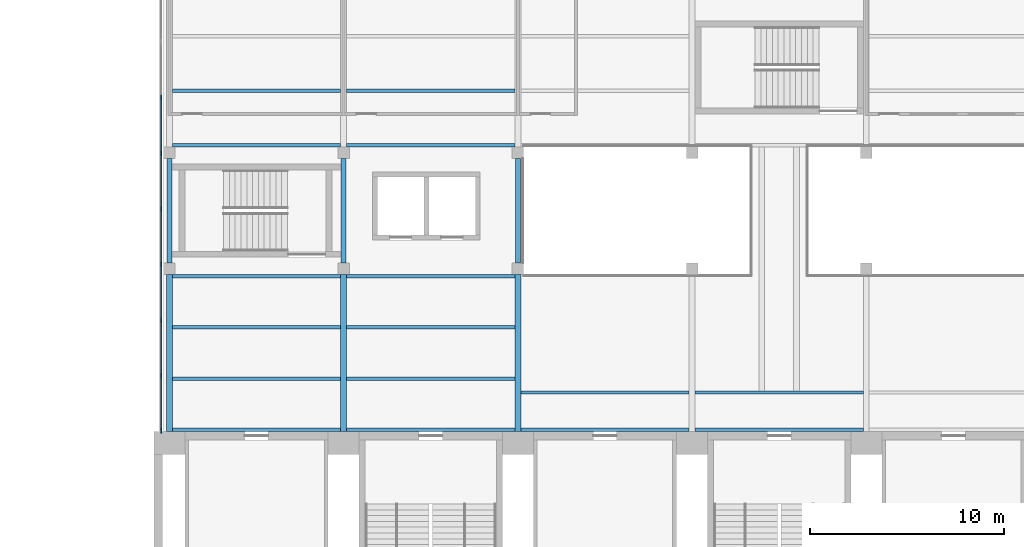
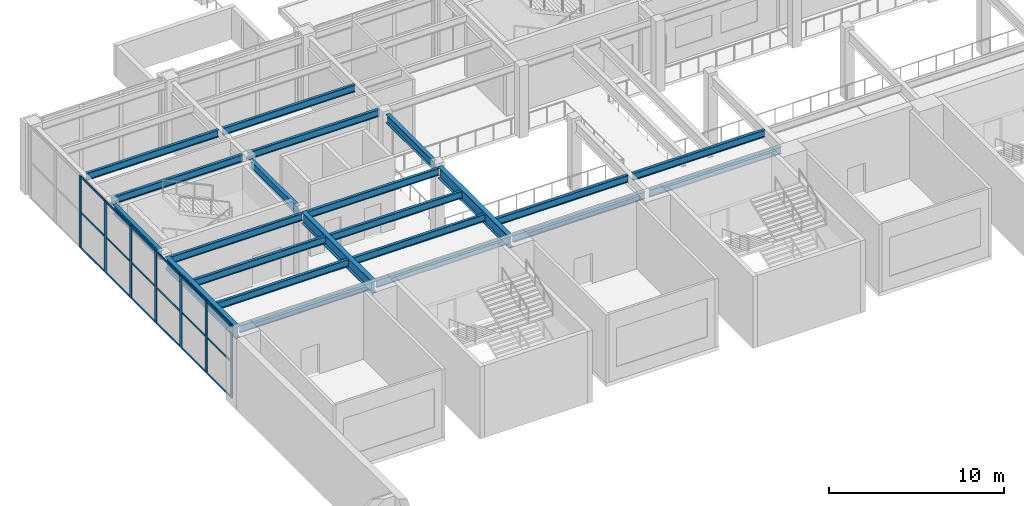
# One storey, part 8 of 67: 25 members, 22 beams, 1 element without a shape of its own.
"""IFC4 building model written with IfcOpenShell, lengths in metres."""

import ifcopenshell
import ifcopenshell.guid

model = None  # the IFC model being written
_history = None  # IfcOwnerHistory: only IFC2X3 demands one
_inside = {}  # id of a spatial element -> (the spatial element, [elements in it])
_under = {}  # id of a project, library or spatial element -> (it, [spatial elements below it])
_declared = {}  # id of a project -> (the project, [libraries it declares])
_typed = {}  # id of a type object -> (the type object, [elements of that type])
_made_of = {}  # id of a material, layer set ... -> (it, [elements and type objects made of it])


def new_model(schema):
    """Start an empty IFC model of exactly this schema.

    Asked for "IFC4X3", IfcOpenShell would pick the latest addendum, in which some entities
    have other attributes; the version numbers below select the first issue.
    IFC2X3 requires an IfcOwnerHistory on every rooted entity: one is made here for all.
    """
    global model, _history
    if schema == "IFC4X3":
        model = ifcopenshell.file(schema_version=(4, 3, 0, 0))
    else:
        model = ifcopenshell.file(schema=schema)
    _inside.clear()
    _under.clear()
    _declared.clear()
    _typed.clear()
    _made_of.clear()
    _history = None
    if model.schema == "IFC2X3":
        org = make("IfcOrganization", Name="unknown")
        user = make(
            "IfcPersonAndOrganization",
            ThePerson=make("IfcPerson", FamilyName="unknown"),
            TheOrganization=org,
        )
        app = make(
            "IfcApplication",
            ApplicationDeveloper=org,
            Version="unknown",
            ApplicationFullName="unknown",
            ApplicationIdentifier="unknown",
        )
        _history = make(
            "IfcOwnerHistory",
            OwningUser=user,
            OwningApplication=app,
            ChangeAction="ADDED",
            CreationDate=0,
        )
    return model


def make(cls, **values):
    """One entity of the class cls with the attributes given. An attribute that is None is left unset."""
    return model.create_entity(
        cls, **{name: value for name, value in values.items() if value is not None}
    )


def rooted(cls, **values):
    """An entity with a GlobalId (a new one), such as an element, a storey or a relation."""
    return make(cls, GlobalId=ifcopenshell.guid.new(), OwnerHistory=_history, **values)


def si_unit(unit_type, name, prefix=None):
    """IfcSIUnit, for example si_unit("LENGTHUNIT", "METRE", prefix="MILLI")."""
    return make("IfcSIUnit", UnitType=unit_type, Prefix=prefix, Name=name)


def assignment(units):
    """IfcUnitAssignment: the units of a project."""
    return None if units is None else make("IfcUnitAssignment", Units=units)


def point(xyz):
    """IfcCartesianPoint."""
    return None if xyz is None else make("IfcCartesianPoint", Coordinates=xyz)


def direction(xyz):
    """IfcDirection."""
    return None if xyz is None else make("IfcDirection", DirectionRatios=xyz)


def frame(location, z_axis=None, x_axis=None):
    """IfcAxis2Placement3D, a coordinate frame: its origin and axes. An axis left out is left unset."""
    return make(
        "IfcAxis2Placement3D",
        Location=point(location),
        Axis=direction(z_axis),
        RefDirection=direction(x_axis),
    )


def frame_2d(location, x_axis=None):
    """IfcAxis2Placement2D, a coordinate frame in the plane: its origin and x axis."""
    return make(
        "IfcAxis2Placement2D", Location=point(location), RefDirection=direction(x_axis)
    )


def origin():
    """The frame at (0, 0, 0) with its axes left unset."""
    return frame((0.0, 0.0, 0.0))


def origin_2d():
    """The frame at (0, 0) in the plane with its x axis left unset."""
    return frame_2d((0.0, 0.0))


def place(relative_to, where):
    """IfcLocalPlacement: puts the frame where relative to a parent placement (None: the world)."""
    return make(
        "IfcLocalPlacement", PlacementRelTo=relative_to, RelativePlacement=where
    )


def context(
    kind, dimensions, precision=None, world=None, true_north=None, identifier=None
):
    """IfcGeometricRepresentationContext, for example the 3D "Model" context."""
    return make(
        "IfcGeometricRepresentationContext",
        ContextIdentifier=identifier,
        ContextType=kind,
        CoordinateSpaceDimension=dimensions,
        Precision=precision,
        WorldCoordinateSystem=world,
        TrueNorth=true_north,
    )


def subcontext(parent, identifier, kind, view, scale=None):
    """IfcGeometricRepresentationSubContext, for example "Body" below "Model"."""
    return make(
        "IfcGeometricRepresentationSubContext",
        ContextIdentifier=identifier,
        ContextType=kind,
        ParentContext=parent,
        TargetScale=scale,
        TargetView=view,
    )


def project(units=None, contexts=None):
    """IfcProject with its units and contexts."""
    return rooted(
        "IfcProject",
        Name="project",
        RepresentationContexts=contexts,
        UnitsInContext=assignment(units),
    )


def spatial(cls, under=None, at=None, **own):
    """A site, building, storey or space (cls), placed at a placement, below another one or the project."""
    s = rooted(cls, ObjectPlacement=at, **own)
    if under is not None:
        _under.setdefault(under.id(), (under, []))[1].append(s)
    return s


def profile(cls, at=None, kind="AREA", **sizes):
    """A parametric profile (cls). Its sizes go by their IFC names, for example OverallWidth=200.0."""
    return make(cls, ProfileType=kind, Position=at, **sizes)


def rectangle(**sizes):
    """IfcRectangleProfileDef."""
    return profile("IfcRectangleProfileDef", **sizes)


def i_section(**sizes):
    """IfcIShapeProfileDef."""
    return profile("IfcIShapeProfileDef", **sizes)


def extrude(swept, where, along, depth):
    """IfcExtrudedAreaSolid: the profile swept, set in the frame where, extruded along a direction by depth."""
    return make(
        "IfcExtrudedAreaSolid",
        SweptArea=swept,
        Position=where,
        ExtrudedDirection=direction(along),
        Depth=depth,
    )


def shape(context_of_items, identifier, shape_type, items):
    """IfcShapeRepresentation: the items that make up one representation, for example the "Body"."""
    return make(
        "IfcShapeRepresentation",
        ContextOfItems=context_of_items,
        RepresentationIdentifier=identifier,
        RepresentationType=shape_type,
        Items=items,
    )


def material(Name=None, Category=None):
    """IfcMaterial."""
    return make("IfcMaterial", Name=Name, Category=Category)


def material_profile(
    of_material, cross_section, Name=None, Category=None, Priority=None
):
    """IfcMaterialProfile: a cross section and its material."""
    return make(
        "IfcMaterialProfile",
        Name=Name,
        Material=of_material,
        Profile=cross_section,
        Priority=Priority,
        Category=Category,
    )


def profile_set(profiles, Name=None, composite=None):
    """IfcMaterialProfileSet."""
    return make(
        "IfcMaterialProfileSet",
        Name=Name,
        MaterialProfiles=profiles,
        CompositeProfile=composite,
    )


def made_of(thing, what):
    """Note that an element or type object is made of a material, layer set ...; save() writes the relation."""
    if what is not None:
        _made_of.setdefault(what.id(), (what, []))[1].append(thing)
    return thing


def type_object(cls, material=None, **own):
    """A type object (cls), such as IfcWallType, which elements share."""
    return made_of(rooted(cls, **own), material)


def element(
    cls,
    number,
    at=None,
    inside=None,
    cuts=None,
    type_object=None,
    material=None,
    context=None,
    identifier="Body",
    shape_type=None,
    held_by="IfcProductDefinitionShape",
    body=None,
    shapes=None,
    **own,
):
    """One element of the class cls, such as IfcWall. Its Tag is "e" and its number.

    at: its placement. inside: the storey or other place that contains it. cuts: it is an
    opening in that element (IfcRelVoidsElement). A single representation is given by context,
    identifier, shape_type and body (its items); several are given by shapes. held_by: the class
    of the entity that holds the representations. save() writes the other relations.
    """
    e = rooted(cls, Tag="e%d" % number, ObjectPlacement=at, **own)
    if body is not None:
        shapes = [shape(context, identifier, shape_type, body)]
    if shapes is not None:
        e.Representation = make(held_by, Representations=shapes)
    if inside is not None:
        _inside.setdefault(inside.id(), (inside, []))[1].append(e)
    if cuts is not None:
        rooted(
            "IfcRelVoidsElement", RelatingBuildingElement=cuts, RelatedOpeningElement=e
        )
    if type_object is not None:
        _typed.setdefault(type_object.id(), (type_object, []))[1].append(e)
    return made_of(e, material)


def aggregate(whole, parts):
    """IfcRelAggregates: a whole, such as a stair, and the parts it consists of."""
    return rooted("IfcRelAggregates", RelatingObject=whole, RelatedObjects=parts)


def save(model, path):
    """Write the relations noted so far, then the file.

    IfcRelAggregates (storeys below a building ...), IfcRelContainedInSpatialStructure (elements
    in a storey), IfcRelDefinesByType, IfcRelAssociatesMaterial and IfcRelDeclares: one each for
    every whole, place, type object, material and project.
    """
    for whole, parts in _under.values():
        aggregate(whole, parts)
    for where, things in _inside.values():
        rooted(
            "IfcRelContainedInSpatialStructure",
            RelatedElements=things,
            RelatingStructure=where,
        )
    for kind, things in _typed.values():
        rooted("IfcRelDefinesByType", RelatedObjects=things, RelatingType=kind)
    for what, things in _made_of.values():
        rooted("IfcRelAssociatesMaterial", RelatedObjects=things, RelatingMaterial=what)
    for by, libraries in _declared.values():
        rooted("IfcRelDeclares", RelatingContext=by, RelatedDefinitions=libraries)
    model.write(path)


model = new_model("IFC4")

# Units and contexts
model_context = context("Model", 3, precision=1e-05, world=origin(), true_north=direction((0.0, 1.0)))
body_context = subcontext(model_context, "Body", "Model", "MODEL_VIEW")
ifc_project = project(units=[si_unit("LENGTHUNIT", "METRE"), si_unit("AREAUNIT", "SQUARE_METRE"), si_unit("VOLUMEUNIT", "CUBIC_METRE"), si_unit("PLANEANGLEUNIT", "RADIAN"), si_unit("MASSUNIT", "GRAM", prefix="KILO")], contexts=[model_context])

# Site, building, storey
site_placement = place(None, origin())
site = spatial("IfcSite", under=ifc_project, at=site_placement, CompositionType="ELEMENT")
building_placement = place(site_placement, origin())
building = spatial("IfcBuilding", under=site, at=building_placement, Name="Aravalli Gate Trade Fair Centre", CompositionType="ELEMENT")
storey_placement = place(building_placement, frame((0.0, 0.0, 5.0)))
storey = spatial("IfcBuildingStorey", under=building, at=storey_placement, Name="L01", CompositionType="ELEMENT", Elevation=5.0)

# Curtain wall, members
ifc_material_1 = material(Name="Aluminium and glass", Category="aluminium")
curtain_wall_type = type_object("IfcCurtainWallType", Name="Curtain wall 3000 module, tall", PredefinedType="NOTDEFINED", material=ifc_material_1)
curtain_wall_placement = place(storey_placement, origin())
curtain_wall = element("IfcCurtainWall", 1, at=curtain_wall_placement, inside=storey, type_object=curtain_wall_type, Name="Curtain wall west end L01", PredefinedType="NOTDEFINED")
ifc_material_2 = material(Name="Aluminium", Category="aluminium")
ifc_material_profile_1 = material_profile(ifc_material_2, rectangle(XDim=0.06005859375, YDim=0.25, at=origin_2d()), Name="Concourse curtain wall mullion 60 x 250")
ifc_profile_set_1 = profile_set([ifc_material_profile_1], Name="Aluminium")
member_type_1 = type_object("IfcMemberType", Name="Concourse curtain wall mullion 60 x 250", PredefinedType="MULLION", material=ifc_profile_set_1)
member_1_placement = place(storey_placement, frame((5.574951171875, 109.6298828125, 0.0), z_axis=(0.0, 0.0, 1.0), x_axis=(-1.0, 0.0, 0.0)))
member_1 = element("IfcMember", 2, at=member_1_placement, type_object=member_type_1, Name="CW3 mullion 1", PredefinedType="MULLION", context=body_context, shape_type="SweptSolid", body=[
    extrude(rectangle(XDim=0.06005859375, YDim=0.25, at=origin_2d()), origin(), (0.0, 0.0, 1.0), 5.0),
])
member_2_placement = place(storey_placement, frame((5.574951171875, 112.47509765625, 0.0), z_axis=(0.0, 0.0, 1.0), x_axis=(-1.0, 0.0, 0.0)))
member_2 = element("IfcMember", 3, at=member_2_placement, type_object=member_type_1, Name="CW3 mullion 2", PredefinedType="MULLION", context=body_context, shape_type="SweptSolid", body=[
    extrude(rectangle(XDim=0.06005859375, YDim=0.25, at=origin_2d()), origin(), (0.0, 0.0, 1.0), 5.0),
])
member_3_placement = place(storey_placement, frame((5.574951171875, 115.35009765625, 0.0), z_axis=(0.0, 0.0, 1.0), x_axis=(-1.0, 0.0, 0.0)))
member_3 = element("IfcMember", 4, at=member_3_placement, type_object=member_type_1, Name="CW3 mullion 3", PredefinedType="MULLION", context=body_context, shape_type="SweptSolid", body=[
    extrude(rectangle(XDim=0.06005859375, YDim=0.25, at=origin_2d()), origin(), (0.0, 0.0, 1.0), 5.0),
])
member_4_placement = place(storey_placement, frame((5.574951171875, 118.22509765625, 0.0), z_axis=(0.0, 0.0, 1.0), x_axis=(-1.0, 0.0, 0.0)))
member_4 = element("IfcMember", 5, at=member_4_placement, type_object=member_type_1, Name="CW3 mullion 4", PredefinedType="MULLION", context=body_context, shape_type="SweptSolid", body=[
    extrude(rectangle(XDim=0.06005859375, YDim=0.25, at=origin_2d()), origin(), (0.0, 0.0, 1.0), 5.0),
])
member_5_placement = place(storey_placement, frame((5.574951171875, 121.10009765625, 0.0), z_axis=(0.0, 0.0, 1.0), x_axis=(-1.0, 0.0, 0.0)))
member_5 = element("IfcMember", 6, at=member_5_placement, type_object=member_type_1, Name="CW3 mullion 5", PredefinedType="MULLION", context=body_context, shape_type="SweptSolid", body=[
    extrude(rectangle(XDim=0.06005859375, YDim=0.25, at=origin_2d()), origin(), (0.0, 0.0, 1.0), 5.0),
])
member_6_placement = place(storey_placement, frame((5.574951171875, 123.97509765625, 0.0), z_axis=(0.0, 0.0, 1.0), x_axis=(-1.0, 0.0, 0.0)))
member_6 = element("IfcMember", 7, at=member_6_placement, type_object=member_type_1, Name="CW3 mullion 6", PredefinedType="MULLION", context=body_context, shape_type="SweptSolid", body=[
    extrude(rectangle(XDim=0.06005859375, YDim=0.25, at=origin_2d()), origin(), (0.0, 0.0, 1.0), 5.0),
])
member_7_placement = place(storey_placement, frame((5.574951171875, 126.85009765625, 0.0), z_axis=(0.0, 0.0, 1.0), x_axis=(-1.0, 0.0, 0.0)))
member_7 = element("IfcMember", 8, at=member_7_placement, type_object=member_type_1, Name="CW3 mullion 7", PredefinedType="MULLION", context=body_context, shape_type="SweptSolid", body=[
    extrude(rectangle(XDim=0.06005859375, YDim=0.25, at=origin_2d()), origin(), (0.0, 0.0, 1.0), 5.0),
])
ifc_material_profile_2 = material_profile(ifc_material_2, rectangle(XDim=0.06005859375, YDim=0.1201171875, at=origin_2d()), Name="Concourse curtain wall transom 60 x 120")
ifc_profile_set_2 = profile_set([ifc_material_profile_2], Name="Aluminium")
member_type_2 = type_object("IfcMemberType", Name="Concourse curtain wall transom 60 x 120", PredefinedType="USERDEFINED", material=ifc_profile_set_2)
member_8_placement = place(storey_placement, frame((5.574951171875, 109.659912109375, 0.030029296875), z_axis=(0.0, 1.0, 0.0), x_axis=(-1.0, 0.0, 0.0)))
member_8 = element("IfcMember", 9, at=member_8_placement, type_object=member_type_2, Name="CW3 transom 1.1", ObjectType="TRANSOM", PredefinedType="USERDEFINED", context=body_context, shape_type="SweptSolid", body=[
    extrude(rectangle(XDim=0.06005859375, YDim=0.1201171875, at=origin_2d()), origin(), (0.0, 0.0, 1.0), 2.78515625),
])
member_9_placement = place(storey_placement, frame((5.574951171875, 109.659912109375, 2.5), z_axis=(0.0, 1.0, 0.0), x_axis=(-1.0, 0.0, 0.0)))
member_9 = element("IfcMember", 10, at=member_9_placement, type_object=member_type_2, Name="CW3 transom 1.2", ObjectType="TRANSOM", PredefinedType="USERDEFINED", context=body_context, shape_type="SweptSolid", body=[
    extrude(rectangle(XDim=0.06005859375, YDim=0.1201171875, at=origin_2d()), origin(), (0.0, 0.0, 1.0), 2.78515625),
])
member_10_placement = place(storey_placement, frame((5.574951171875, 109.659912109375, 4.969970703125), z_axis=(0.0, 1.0, 0.0), x_axis=(-1.0, 0.0, 0.0)))
member_10 = element("IfcMember", 11, at=member_10_placement, type_object=member_type_2, Name="CW3 transom 1.3", ObjectType="TRANSOM", PredefinedType="USERDEFINED", context=body_context, shape_type="SweptSolid", body=[
    extrude(rectangle(XDim=0.06005859375, YDim=0.1201171875, at=origin_2d()), origin(), (0.0, 0.0, 1.0), 2.78515625),
])
member_11_placement = place(storey_placement, frame((5.574951171875, 112.5048828125, 0.030029296875), z_axis=(0.0, 1.0, 0.0), x_axis=(-1.0, 0.0, 0.0)))
member_11 = element("IfcMember", 12, at=member_11_placement, type_object=member_type_2, Name="CW3 transom 2.1", ObjectType="TRANSOM", PredefinedType="USERDEFINED", context=body_context, shape_type="SweptSolid", body=[
    extrude(rectangle(XDim=0.06005859375, YDim=0.1201171875, at=origin_2d()), origin(), (0.0, 0.0, 1.0), 2.815185546875),
])
member_12_placement = place(storey_placement, frame((5.574951171875, 112.5048828125, 2.5), z_axis=(0.0, 1.0, 0.0), x_axis=(-1.0, 0.0, 0.0)))
member_12 = element("IfcMember", 13, at=member_12_placement, type_object=member_type_2, Name="CW3 transom 2.2", ObjectType="TRANSOM", PredefinedType="USERDEFINED", context=body_context, shape_type="SweptSolid", body=[
    extrude(rectangle(XDim=0.06005859375, YDim=0.1201171875, at=origin_2d()), origin(), (0.0, 0.0, 1.0), 2.815185546875),
])
member_13_placement = place(storey_placement, frame((5.574951171875, 112.5048828125, 4.969970703125), z_axis=(0.0, 1.0, 0.0), x_axis=(-1.0, 0.0, 0.0)))
member_13 = element("IfcMember", 14, at=member_13_placement, type_object=member_type_2, Name="CW3 transom 2.3", ObjectType="TRANSOM", PredefinedType="USERDEFINED", context=body_context, shape_type="SweptSolid", body=[
    extrude(rectangle(XDim=0.06005859375, YDim=0.1201171875, at=origin_2d()), origin(), (0.0, 0.0, 1.0), 2.815185546875),
])
member_14_placement = place(storey_placement, frame((5.574951171875, 115.3798828125, 0.030029296875), z_axis=(0.0, 1.0, 0.0), x_axis=(-1.0, 0.0, 0.0)))
member_14 = element("IfcMember", 15, at=member_14_placement, type_object=member_type_2, Name="CW3 transom 3.1", ObjectType="TRANSOM", PredefinedType="USERDEFINED", context=body_context, shape_type="SweptSolid", body=[
    extrude(rectangle(XDim=0.06005859375, YDim=0.1201171875, at=origin_2d()), origin(), (0.0, 0.0, 1.0), 2.815185546875),
])
member_15_placement = place(storey_placement, frame((5.574951171875, 115.3798828125, 2.5), z_axis=(0.0, 1.0, 0.0), x_axis=(-1.0, 0.0, 0.0)))
member_15 = element("IfcMember", 16, at=member_15_placement, type_object=member_type_2, Name="CW3 transom 3.2", ObjectType="TRANSOM", PredefinedType="USERDEFINED", context=body_context, shape_type="SweptSolid", body=[
    extrude(rectangle(XDim=0.06005859375, YDim=0.1201171875, at=origin_2d()), origin(), (0.0, 0.0, 1.0), 2.815185546875),
])
member_16_placement = place(storey_placement, frame((5.574951171875, 115.3798828125, 4.969970703125), z_axis=(0.0, 1.0, 0.0), x_axis=(-1.0, 0.0, 0.0)))
member_16 = element("IfcMember", 17, at=member_16_placement, type_object=member_type_2, Name="CW3 transom 3.3", ObjectType="TRANSOM", PredefinedType="USERDEFINED", context=body_context, shape_type="SweptSolid", body=[
    extrude(rectangle(XDim=0.06005859375, YDim=0.1201171875, at=origin_2d()), origin(), (0.0, 0.0, 1.0), 2.815185546875),
])
member_17_placement = place(storey_placement, frame((5.574951171875, 118.2548828125, 0.030029296875), z_axis=(0.0, 1.0, 0.0), x_axis=(-1.0, 0.0, 0.0)))
member_17 = element("IfcMember", 18, at=member_17_placement, type_object=member_type_2, Name="CW3 transom 4.1", ObjectType="TRANSOM", PredefinedType="USERDEFINED", context=body_context, shape_type="SweptSolid", body=[
    extrude(rectangle(XDim=0.06005859375, YDim=0.1201171875, at=origin_2d()), origin(), (0.0, 0.0, 1.0), 2.815185546875),
])
member_18_placement = place(storey_placement, frame((5.574951171875, 118.2548828125, 2.5), z_axis=(0.0, 1.0, 0.0), x_axis=(-1.0, 0.0, 0.0)))
member_18 = element("IfcMember", 19, at=member_18_placement, type_object=member_type_2, Name="CW3 transom 4.2", ObjectType="TRANSOM", PredefinedType="USERDEFINED", context=body_context, shape_type="SweptSolid", body=[
    extrude(rectangle(XDim=0.06005859375, YDim=0.1201171875, at=origin_2d()), origin(), (0.0, 0.0, 1.0), 2.815185546875),
])
member_19_placement = place(storey_placement, frame((5.574951171875, 118.2548828125, 4.969970703125), z_axis=(0.0, 1.0, 0.0), x_axis=(-1.0, 0.0, 0.0)))
member_19 = element("IfcMember", 20, at=member_19_placement, type_object=member_type_2, Name="CW3 transom 4.3", ObjectType="TRANSOM", PredefinedType="USERDEFINED", context=body_context, shape_type="SweptSolid", body=[
    extrude(rectangle(XDim=0.06005859375, YDim=0.1201171875, at=origin_2d()), origin(), (0.0, 0.0, 1.0), 2.815185546875),
])
member_20_placement = place(storey_placement, frame((5.574951171875, 121.1298828125, 0.030029296875), z_axis=(0.0, 1.0, 0.0), x_axis=(-1.0, 0.0, 0.0)))
member_20 = element("IfcMember", 21, at=member_20_placement, type_object=member_type_2, Name="CW3 transom 5.1", ObjectType="TRANSOM", PredefinedType="USERDEFINED", context=body_context, shape_type="SweptSolid", body=[
    extrude(rectangle(XDim=0.06005859375, YDim=0.1201171875, at=origin_2d()), origin(), (0.0, 0.0, 1.0), 2.815185546875),
])
member_21_placement = place(storey_placement, frame((5.574951171875, 121.1298828125, 2.5), z_axis=(0.0, 1.0, 0.0), x_axis=(-1.0, 0.0, 0.0)))
member_21 = element("IfcMember", 22, at=member_21_placement, type_object=member_type_2, Name="CW3 transom 5.2", ObjectType="TRANSOM", PredefinedType="USERDEFINED", context=body_context, shape_type="SweptSolid", body=[
    extrude(rectangle(XDim=0.06005859375, YDim=0.1201171875, at=origin_2d()), origin(), (0.0, 0.0, 1.0), 2.815185546875),
])
member_22_placement = place(storey_placement, frame((5.574951171875, 121.1298828125, 4.969970703125), z_axis=(0.0, 1.0, 0.0), x_axis=(-1.0, 0.0, 0.0)))
member_22 = element("IfcMember", 23, at=member_22_placement, type_object=member_type_2, Name="CW3 transom 5.3", ObjectType="TRANSOM", PredefinedType="USERDEFINED", context=body_context, shape_type="SweptSolid", body=[
    extrude(rectangle(XDim=0.06005859375, YDim=0.1201171875, at=origin_2d()), origin(), (0.0, 0.0, 1.0), 2.815185546875),
])
member_23_placement = place(storey_placement, frame((5.574951171875, 124.0048828125, 0.030029296875), z_axis=(0.0, 1.0, 0.0), x_axis=(-1.0, 0.0, 0.0)))
member_23 = element("IfcMember", 24, at=member_23_placement, type_object=member_type_2, Name="CW3 transom 6.1", ObjectType="TRANSOM", PredefinedType="USERDEFINED", context=body_context, shape_type="SweptSolid", body=[
    extrude(rectangle(XDim=0.06005859375, YDim=0.1201171875, at=origin_2d()), origin(), (0.0, 0.0, 1.0), 2.815185546875),
])
member_24_placement = place(storey_placement, frame((5.574951171875, 124.0048828125, 2.5), z_axis=(0.0, 1.0, 0.0), x_axis=(-1.0, 0.0, 0.0)))
member_24 = element("IfcMember", 25, at=member_24_placement, type_object=member_type_2, Name="CW3 transom 6.2", ObjectType="TRANSOM", PredefinedType="USERDEFINED", context=body_context, shape_type="SweptSolid", body=[
    extrude(rectangle(XDim=0.06005859375, YDim=0.1201171875, at=origin_2d()), origin(), (0.0, 0.0, 1.0), 2.815185546875),
])
member_25_placement = place(storey_placement, frame((5.574951171875, 124.0048828125, 4.969970703125), z_axis=(0.0, 1.0, 0.0), x_axis=(-1.0, 0.0, 0.0)))
member_25 = element("IfcMember", 26, at=member_25_placement, type_object=member_type_2, Name="CW3 transom 6.3", ObjectType="TRANSOM", PredefinedType="USERDEFINED", context=body_context, shape_type="SweptSolid", body=[
    extrude(rectangle(XDim=0.06005859375, YDim=0.1201171875, at=origin_2d()), origin(), (0.0, 0.0, 1.0), 2.815185546875),
])
aggregate(curtain_wall, [member_1, member_2, member_3, member_4, member_5, member_6, member_7, member_8, member_9, member_10, member_11, member_12, member_13, member_14, member_15, member_16, member_17, member_18, member_19, member_20, member_21, member_22, member_23, member_24, member_25])

# Beams
ifc_material_3 = material(Name="Steel E350", Category="steel")
ifc_material_profile_3 = material_profile(ifc_material_3, i_section(OverallWidth=0.179931640625, OverallDepth=0.5, WebThickness=0.01025390625, FlangeThickness=0.01708984375, at=origin_2d()), Name="ISMB 500")
ifc_profile_set_3 = profile_set([ifc_material_profile_3], Name="Steel E350")
beam_type_1 = type_object("IfcBeamType", Name="ISMB 500 gallery secondary beam", PredefinedType="JOIST", material=ifc_profile_set_3)
for number, where, z_axis, x_axis, name in (
    (27, (6.14990234375, 109.68994140625, 4.550048828125), (1.0, 0.0, 0.0), (0.0, 1.0, 0.0), "Gallery beam S0 01-02 L02"),
    (28, (6.14990234375, 112.330078125, 4.550048828125), (1.0, 0.0, 0.0), (0.0, 1.0, 0.0), "Gallery beam S1 01-02 L02"),
    (29, (6.14990234375, 114.969970703125, 4.550048828125), (1.0, 0.0, 0.0), (0.0, 1.0, 0.0), "Gallery beam S2 01-02 L02"),
    (30, (6.14990234375, 117.610107421875, 4.550048828125), (1.0, 0.0, 0.0), (0.0, 1.0, 0.0), "Gallery beam S3 01-02 L02"),
    (31, (6.14990234375, 124.389892578125, 4.550048828125), (1.0, 0.0, 0.0), (0.0, 1.0, 0.0), "Gallery beam N4 01-02 L02"),
    (32, (6.14990234375, 127.203369140625, 4.550048828125), (1.0, 0.0, 0.0), (0.0, 1.0, 0.0), "Gallery beam N5 01-02 L02"),
    (33, (15.14990234375, 109.68994140625, 4.550048828125), (1.0, 0.0, 0.0), (0.0, 1.0, 0.0), "Gallery beam S0 02-03 L02"),
    (34, (15.14990234375, 112.330078125, 4.550048828125), (1.0, 0.0, 0.0), (0.0, 1.0, 0.0), "Gallery beam S1 02-03 L02"),
    (35, (15.14990234375, 114.969970703125, 4.550048828125), (1.0, 0.0, 0.0), (0.0, 1.0, 0.0), "Gallery beam S2 02-03 L02"),
    (36, (15.14990234375, 117.610107421875, 4.550048828125), (1.0, 0.0, 0.0), (0.0, 1.0, 0.0), "Gallery beam S3 02-03 L02"),
    (37, (15.14990234375, 124.389892578125, 4.550048828125), (1.0, 0.0, 0.0), (0.0, 1.0, 0.0), "Gallery beam N4 02-03 L02"),
    (38, (15.14990234375, 127.203369140625, 4.550048828125), (1.0, 0.0, 0.0), (0.0, 1.0, 0.0), "Gallery beam N5 02-03 L02"),
    (39, (24.14990234375, 109.68994140625, 4.550048828125), (1.0, 0.0, 0.0), (0.0, 1.0, 0.0), "Gallery beam S0 03-04 L02"),
    (40, (24.14990234375, 111.610107421875, 4.550048828125), (1.0, 0.0, 0.0), (0.0, 1.0, 0.0), "Gallery beam S1 03-04 L02"),
    (41, (33.14990234375, 109.68994140625, 4.550048828125), (1.0, 0.0, 0.0), (0.0, 1.0, 0.0), "Gallery beam S0 04-05 L02"),
    (42, (33.14990234375, 111.610107421875, 4.550048828125), (1.0, 0.0, 0.0), (0.0, 1.0, 0.0), "Gallery beam S1 04-05 L02"),
):
    element("IfcBeam", number, at=place(storey_placement, frame(where, z_axis=z_axis, x_axis=x_axis)), inside=storey, type_object=beam_type_1, Name=name, PredefinedType="JOIST", context=body_context, shape_type="SweptSolid", body=[
        extrude(i_section(OverallWidth=0.179931640625, OverallDepth=0.5, WebThickness=0.01025390625, FlangeThickness=0.01708984375, at=origin_2d()), origin(), (0.0, 0.0, 1.0), 8.7001953125),
    ])
ifc_material_profile_4 = material_profile(ifc_material_3, i_section(OverallWidth=0.25, OverallDepth=0.60009765625, WebThickness=0.01123046875, FlangeThickness=0.021240234375, at=origin_2d()), Name="ISWB 600")
ifc_profile_set_4 = profile_set([ifc_material_profile_4], Name="Steel E350")
beam_type_2 = type_object("IfcBeamType", Name="ISWB 600 gallery girder", PredefinedType="BEAM", material=ifc_profile_set_4)
for number, where, z_axis, x_axis, name in (
    (43, (6.0, 118.300048828125, 4.5), (0.0, 1.0, 0.0), (-1.0, 0.0, 0.0), "Gallery girder M01 L02"),
    (44, (15.0, 118.300048828125, 4.5), (0.0, 1.0, 0.0), (-1.0, 0.0, 0.0), "Gallery girder M02 L02"),
    (45, (24.0, 118.300048828125, 4.5), (0.0, 1.0, 0.0), (-1.0, 0.0, 0.0), "Gallery girder M03 L02"),
):
    element("IfcBeam", number, at=place(storey_placement, frame(where, z_axis=z_axis, x_axis=x_axis)), inside=storey, type_object=beam_type_2, Name=name, PredefinedType="BEAM", context=body_context, shape_type="SweptSolid", body=[
        extrude(i_section(OverallWidth=0.25, OverallDepth=0.60009765625, WebThickness=0.01123046875, FlangeThickness=0.021240234375, at=origin_2d()), origin(), (0.0, 0.0, 1.0), 5.39990234375),
    ])
ifc_material_profile_5 = material_profile(ifc_material_3, i_section(OverallWidth=0.300048828125, OverallDepth=0.800048828125, WebThickness=0.011962890625, FlangeThickness=0.02490234375, at=origin_2d()), Name="PG 800x300x12x25")
ifc_profile_set_5 = profile_set([ifc_material_profile_5], Name="Steel E350")
beam_type_3 = type_object("IfcBeamType", Name="PG 800x300x12x25 gallery plate girder", PredefinedType="BEAM", material=ifc_profile_set_5)
for number, where, z_axis, x_axis, name in (
    (46, (6.0, 109.60009765625, 4.39990234375), (0.0, 1.0, 0.0), (-1.0, 0.0, 0.0), "Gallery girder S01 L02"),
    (47, (15.0, 109.60009765625, 4.39990234375), (0.0, 1.0, 0.0), (-1.0, 0.0, 0.0), "Gallery girder S02 L02"),
    (48, (24.0, 109.60009765625, 4.39990234375), (0.0, 1.0, 0.0), (-1.0, 0.0, 0.0), "Gallery girder S03 L02"),
):
    element("IfcBeam", number, at=place(storey_placement, frame(where, z_axis=z_axis, x_axis=x_axis)), inside=storey, type_object=beam_type_3, Name=name, PredefinedType="BEAM", context=body_context, shape_type="SweptSolid", body=[
        extrude(i_section(OverallWidth=0.300048828125, OverallDepth=0.800048828125, WebThickness=0.011962890625, FlangeThickness=0.02490234375, at=origin_2d()), origin(), (0.0, 0.0, 1.0), 8.099853515625),
    ])

save(model, "model.ifc")
